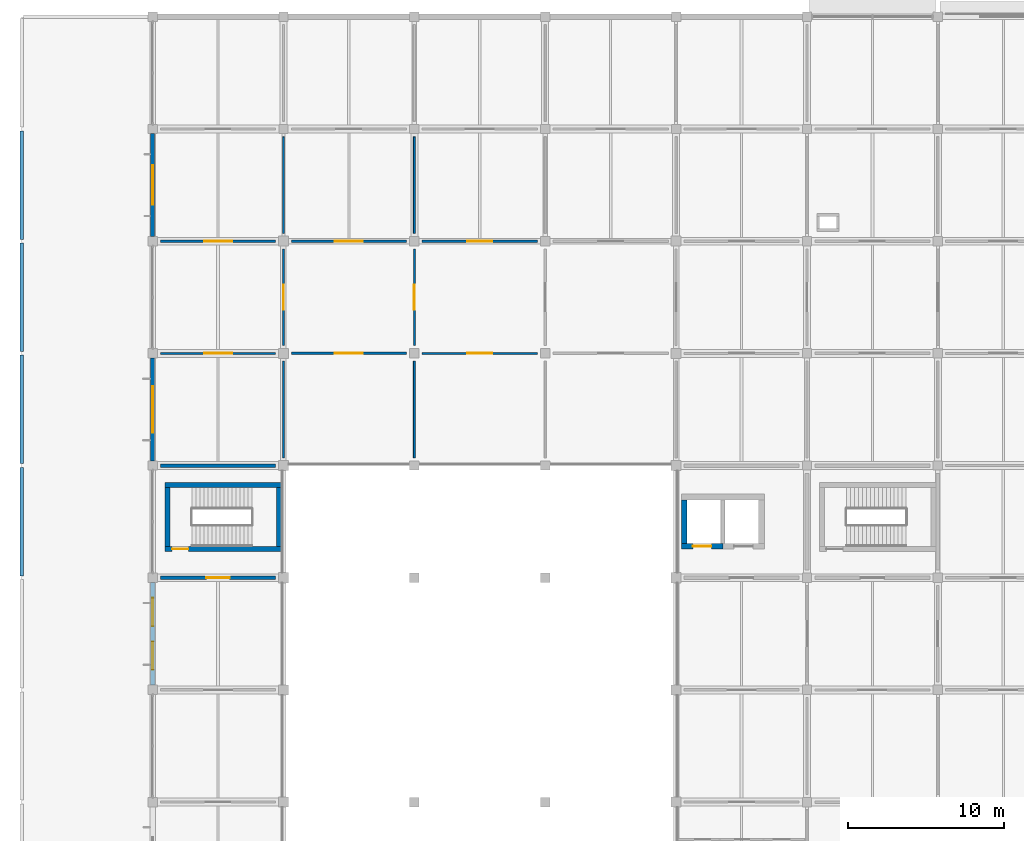
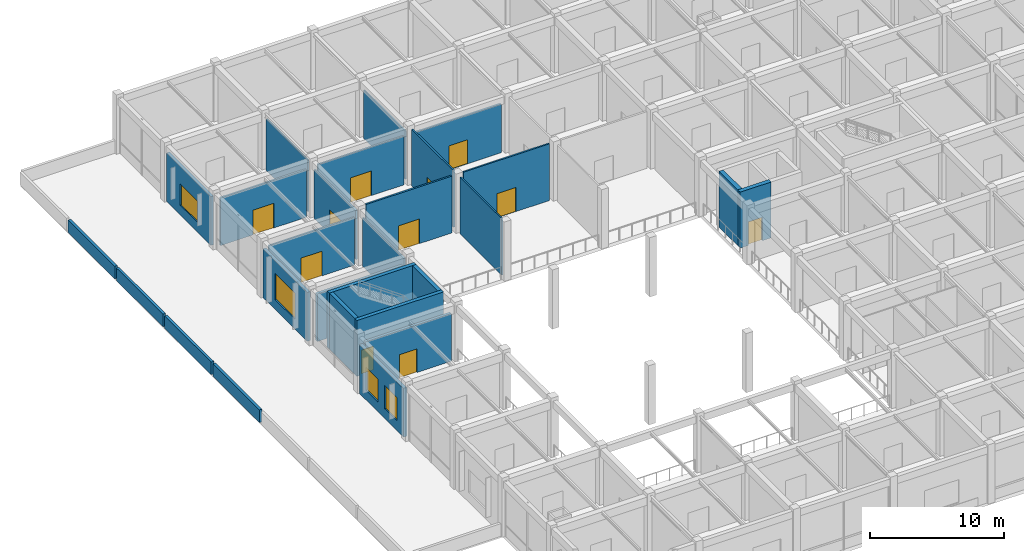
# One storey, part 21 of 38: 27 walls, 11 doors, 4 windows, 15 openings.
"""IFC4 building model written with IfcOpenShell, lengths in metres."""

from ifc_helpers import new_model, si_unit, derived_unit, direction, frame, frame_2d, origin, place, context, subcontext, project, spatial, rectangle, extrude, material, layer, layer_set, type_object, element, fill, save


model = new_model("IFC4")

# Units and contexts
model_context = context("Model", 3, precision=1e-05, world=origin(), true_north=direction((0.0, 1.0)))
body_context = subcontext(model_context, "Body", "Model", "MODEL_VIEW")
ifc_project = project(units=[si_unit("LENGTHUNIT", "METRE"), si_unit("AREAUNIT", "SQUARE_METRE"), si_unit("VOLUMEUNIT", "CUBIC_METRE"), si_unit("PLANEANGLEUNIT", "RADIAN"), si_unit("MASSUNIT", "GRAM", prefix="KILO"), derived_unit("THERMALTRANSMITTANCEUNIT", [(si_unit("MASSUNIT", "GRAM", prefix="KILO"), 1), (si_unit("TIMEUNIT", "SECOND"), -3), (si_unit("THERMODYNAMICTEMPERATUREUNIT", "KELVIN"), -1)])], contexts=[model_context])

# Site, building, storey
site_placement = place(None, origin())
site = spatial("IfcSite", under=ifc_project, at=site_placement, CompositionType="ELEMENT")
building_placement = place(site_placement, origin())
building = spatial("IfcBuilding", under=site, at=building_placement, Name="Veldstrom Oceanarium and Marine Research Institute", CompositionType="ELEMENT")
storey_placement = place(building_placement, frame((0.0, 0.0, 11.39990234375)))
storey = spatial("IfcBuildingStorey", under=building, at=storey_placement, Name="L02", CompositionType="ELEMENT", Elevation=11.39990234375)

# Wall, openings, windows
ifc_material_1 = material(Name="Masonry Cavity Wall", Category="masonry")
ifc_layer_1 = layer(ifc_material_1, 0.2900390625)
ifc_layer_set_1 = layer_set([ifc_layer_1], Name="ARC-WAL-EW2")
wall_type_1 = type_object("IfcWallType", Name="ARC-WAL-EW2", PredefinedType="SOLIDWALL", material=ifc_layer_set_1)
wall_1_placement = place(storey_placement, frame((8.39990234375, 29.10009765625, 0.0), z_axis=(0.0, 0.0, 1.0), x_axis=(0.0, 1.0, 0.0)))
wall_1 = element("IfcWall", 1, at=wall_1_placement, inside=storey, type_object=wall_type_1, Name="Exterior Facade Wall EW2 L02-117", PredefinedType="SOLIDWALL", context=body_context, shape_type="SweptSolid", body=[
    extrude(rectangle(XDim=6.599853515625, YDim=0.2900390625, at=frame_2d((3.2998046875, 0.0))), origin(), (0.0, 0.0, 1.0), 4.445068359375),
])
opening_1_placement = place(wall_1_placement, frame((1.0, 0.0, 0.89990234375)))
opening_1 = element("IfcOpeningElement", 2, at=opening_1_placement, cuts=wall_1, Name="Opening W10", PredefinedType="OPENING", context=body_context, shape_type="SweptSolid", body=[
    extrude(rectangle(XDim=1.800048828125, YDim=2.10009765625, at=frame_2d((0.89990234375, 1.050048828125))), frame((0.0, 0.155029296875, 0.0), z_axis=(0.0, -1.0, 0.0), x_axis=(1.0, 0.0, 0.0)), (0.0, 0.0, 1.0), 0.31005859375),
])
opening_2_placement = place(wall_1_placement, frame((3.800048828125, 0.0, 0.89990234375)))
opening_2 = element("IfcOpeningElement", 3, at=opening_2_placement, cuts=wall_1, Name="Opening W10", PredefinedType="OPENING", context=body_context, shape_type="SweptSolid", body=[
    extrude(rectangle(XDim=1.800048828125, YDim=2.10009765625, at=frame_2d((0.89990234375, 1.050048828125))), frame((0.0, 0.155029296875, 0.0), z_axis=(0.0, -1.0, 0.0), x_axis=(1.0, 0.0, 0.0)), (0.0, 0.0, 1.0), 0.31005859375),
])
ifc_material_2 = material(Name="Double Glazed Low-E IGU", Category="glass")
window_type_1 = type_object("IfcWindowType", Name="ARC-WIN-W10", PartitioningType="SINGLE_PANEL", PredefinedType="WINDOW", material=ifc_material_2)
window_1_placement = place(opening_1_placement, origin())
window_1 = element("IfcWindow", 4, at=window_1_placement, inside=storey, type_object=window_type_1, Name="Facade Window W10 L02-0083", OverallHeight=2.10009765625, OverallWidth=1.800048828125, PartitioningType="SINGLE_PANEL", PredefinedType="WINDOW", context=body_context, shape_type="SweptSolid", body=[
    extrude(rectangle(XDim=1.800048828125, YDim=2.10009765625, at=frame_2d((0.89990234375, 1.050048828125))), frame((0.0, 0.030029296875, 0.0), z_axis=(0.0, -1.0, 0.0), x_axis=(1.0, 0.0, 0.0)), (0.0, 0.0, 1.0), 0.06005859375),
])
fill(opening_1, window_1)
window_2_placement = place(opening_2_placement, origin())
window_2 = element("IfcWindow", 5, at=window_2_placement, inside=storey, type_object=window_type_1, Name="Facade Window W10 L02-0084", OverallHeight=2.10009765625, OverallWidth=1.800048828125, PartitioningType="SINGLE_PANEL", PredefinedType="WINDOW", context=body_context, shape_type="SweptSolid", body=[
    extrude(rectangle(XDim=1.800048828125, YDim=2.10009765625, at=frame_2d((0.89990234375, 1.050048828125))), frame((0.0, 0.030029296875, 0.0), z_axis=(0.0, -1.0, 0.0), x_axis=(1.0, 0.0, 0.0)), (0.0, 0.0, 1.0), 0.06005859375),
])
fill(opening_2, window_2)

# Wall, opening, window
ifc_material_3 = material(Name="Masonry Cavity Wall", Category="masonry")
ifc_layer_2 = layer(ifc_material_3, 0.27001953125)
ifc_layer_set_2 = layer_set([ifc_layer_2], Name="ARC-WAL-EW3")
wall_type_2 = type_object("IfcWallType", Name="ARC-WAL-EW3", PredefinedType="SOLIDWALL", material=ifc_layer_set_2)
wall_2_placement = place(storey_placement, frame((8.39990234375, 43.5, 0.0), z_axis=(0.0, 0.0, 1.0), x_axis=(0.0, 1.0, 0.0)))
wall_2 = element("IfcWall", 6, at=wall_2_placement, inside=storey, type_object=wall_type_2, Name="Exterior Facade Wall EW3 L02-118", PredefinedType="SOLIDWALL", context=body_context, shape_type="SweptSolid", body=[
    extrude(rectangle(XDim=6.60009765625, YDim=0.27001953125, at=frame_2d((3.300048828125, 0.0))), origin(), (0.0, 0.0, 1.0), 4.445068359375),
])
opening_3_placement = place(wall_2_placement, frame((1.800048828125, 0.0, 0.89990234375)))
opening_3 = element("IfcOpeningElement", 7, at=opening_3_placement, cuts=wall_2, Name="Opening W12", PredefinedType="OPENING", context=body_context, shape_type="SweptSolid", body=[
    extrude(rectangle(XDim=3.0, YDim=2.39990234375, at=frame_2d((1.5, 1.199951171875))), frame((0.0, 0.14501953125, 0.0), z_axis=(0.0, -1.0, 0.0), x_axis=(1.0, 0.0, 0.0)), (0.0, 0.0, 1.0), 0.2900390625),
])
ifc_material_4 = material(Name="Double Glazed Low-E IGU", Category="glass")
window_type_2 = type_object("IfcWindowType", Name="ARC-WIN-W12", PartitioningType="SINGLE_PANEL", PredefinedType="WINDOW", material=ifc_material_4)
window_3_placement = place(opening_3_placement, origin())
window_3 = element("IfcWindow", 8, at=window_3_placement, inside=storey, type_object=window_type_2, Name="Facade Window W12 L02-0085", OverallHeight=2.39990234375, OverallWidth=3.0, PartitioningType="SINGLE_PANEL", PredefinedType="WINDOW", context=body_context, shape_type="SweptSolid", body=[
    extrude(rectangle(XDim=3.0, YDim=2.39990234375, at=frame_2d((1.5, 1.199951171875))), frame((0.0, 0.030029296875, 0.0), z_axis=(0.0, -1.0, 0.0), x_axis=(1.0, 0.0, 0.0)), (0.0, 0.0, 1.0), 0.06005859375),
])
fill(opening_3, window_3)

ifc_material_5 = material(Name="Masonry Cavity Wall", Category="masonry")
ifc_layer_3 = layer(ifc_material_5, 0.25)
ifc_layer_set_3 = layer_set([ifc_layer_3], Name="ARC-WAL-EW5")
wall_type_3 = type_object("IfcWallType", Name="ARC-WAL-EW5", PredefinedType="SOLIDWALL", material=ifc_layer_set_3)
wall_3_placement = place(storey_placement, frame((8.39990234375, 57.89990234375, 0.0), z_axis=(0.0, 0.0, 1.0), x_axis=(0.0, 1.0, 0.0)))
wall_3 = element("IfcWall", 9, at=wall_3_placement, inside=storey, type_object=wall_type_3, Name="Exterior Facade Wall EW5 L02-119", PredefinedType="SOLIDWALL", context=body_context, shape_type="SweptSolid", body=[
    extrude(rectangle(XDim=6.60009765625, YDim=0.25, at=frame_2d((3.300048828125, 0.0))), origin(), (0.0, 0.0, 1.0), 4.445068359375),
])
opening_4_placement = place(wall_3_placement, frame((2.02490234375, 0.0, 0.89990234375)))
opening_4 = element("IfcOpeningElement", 10, at=opening_4_placement, cuts=wall_3, Name="Opening W20", PredefinedType="OPENING", context=body_context, shape_type="SweptSolid", body=[
    extrude(rectangle(XDim=2.550048828125, YDim=1.949951171875, at=frame_2d((1.27490234375, 0.97509765625))), frame((0.0, 0.135009765625, 0.0), z_axis=(0.0, -1.0, 0.0), x_axis=(1.0, 0.0, 0.0)), (0.0, 0.0, 1.0), 0.27001953125),
])
ifc_material_6 = material(Name="Double Glazed Low-E IGU", Category="glass")
window_type_3 = type_object("IfcWindowType", Name="ARC-WIN-W20", PartitioningType="SINGLE_PANEL", PredefinedType="WINDOW", material=ifc_material_6)
window_4_placement = place(opening_4_placement, origin())
window_4 = element("IfcWindow", 11, at=window_4_placement, inside=storey, type_object=window_type_3, Name="Facade Window W20 L02-0086", OverallHeight=1.949951171875, OverallWidth=2.550048828125, PartitioningType="SINGLE_PANEL", PredefinedType="WINDOW", context=body_context, shape_type="SweptSolid", body=[
    extrude(rectangle(XDim=2.550048828125, YDim=1.949951171875, at=frame_2d((1.27490234375, 0.97509765625))), frame((0.0, 0.030029296875, 0.0), z_axis=(0.0, -1.0, 0.0), x_axis=(1.0, 0.0, 0.0)), (0.0, 0.0, 1.0), 0.06005859375),
])
fill(opening_4, window_4)

# Walls
ifc_material_7 = material(Name="Masonry Cavity Wall", Category="masonry")
ifc_layer_4 = layer(ifc_material_7, 0.219970703125)
ifc_layer_set_4 = layer_set([ifc_layer_4], Name="ARC-WAL-PR1")
wall_type_4 = type_object("IfcWallType", Name="ARC-WAL-PR1", PredefinedType="PARAPET", material=ifc_layer_set_4)
for number, where, z_axis, x_axis, name in (
    (12, (0.0, 36.1201171875, 0.0), (0.0, 0.0, 1.0), (0.0, 1.0, 0.0), "Roof Parapet Wall L01-026"),
    (13, (0.0, 43.320068359375, 0.0), (0.0, 0.0, 1.0), (0.0, 1.0, 0.0), "Roof Parapet Wall L01-027"),
    (14, (0.0, 50.52001953125, 0.0), (0.0, 0.0, 1.0), (0.0, 1.0, 0.0), "Roof Parapet Wall L01-028"),
    (15, (0.0, 57.719970703125, 0.0), (0.0, 0.0, 1.0), (0.0, 1.0, 0.0), "Roof Parapet Wall L01-029"),
):
    element("IfcWall", number, at=place(storey_placement, frame(where, z_axis=z_axis, x_axis=x_axis)), inside=storey, type_object=wall_type_4, Name=name, PredefinedType="PARAPET", context=body_context, shape_type="SweptSolid", body=[
        extrude(rectangle(XDim=6.9599609375, YDim=0.219970703125, at=frame_2d((3.47998046875, 0.0))), origin(), (0.0, 0.0, 1.0), 1.150146484375),
    ])

# Wall, opening, door
ifc_material_8 = material(Name="Masonry Fire Compartment Wall", Category="masonry")
ifc_layer_5 = layer(ifc_material_8, 0.22998046875)
ifc_layer_set_5 = layer_set([ifc_layer_5], Name="ARC-WAL-PT1")
wall_type_5 = type_object("IfcWallType", Name="ARC-WAL-PT1", PredefinedType="PARTITIONING", material=ifc_layer_set_5)
wall_4_placement = place(storey_placement, frame((8.89990234375, 36.0, 0.0), z_axis=(0.0, 0.0, 1.0), x_axis=(1.0, 0.0, 0.0)))
wall_4 = element("IfcWall", 16, at=wall_4_placement, inside=storey, type_object=wall_type_5, Name="Interior Partition PT1 L02-1068", PredefinedType="PARTITIONING", context=body_context, shape_type="SweptSolid", body=[
    extrude(rectangle(XDim=7.400146484375, YDim=0.22998046875, at=frame_2d((3.7001953125, 0.0))), origin(), (0.0, 0.0, 1.0), 4.34521484375),
])
opening_5_placement = place(wall_4_placement, frame((2.949951171875, 0.0, 0.0)))
opening_5 = element("IfcOpeningElement", 17, at=opening_5_placement, cuts=wall_4, Name="Opening D-L02-623", PredefinedType="OPENING", context=body_context, shape_type="SweptSolid", body=[
    extrude(rectangle(XDim=1.5, YDim=2.14990234375, at=frame_2d((0.75, 1.074951171875))), frame((0.0, 0.125, 0.0), z_axis=(0.0, -1.0, 0.0), x_axis=(1.0, 0.0, 0.0)), (0.0, 0.0, 1.0), 0.25),
])
ifc_material_9 = material(Name="Painted Steel Lobby Fire Door", Category="steel")
door_type_1 = type_object("IfcDoorType", Name="ARC-DOR-SD2", OperationType="DOUBLE_DOOR_SINGLE_SWING", PredefinedType="DOOR", material=ifc_material_9)
door_1_placement = place(opening_5_placement, frame((1.5, 0.0, 0.0), z_axis=(0.0, 0.0, 1.0), x_axis=(-1.0, 0.0, 0.0)))
door_1 = element("IfcDoor", 18, at=door_1_placement, inside=storey, type_object=door_type_1, Name="Interior Door D-L02-623", OperationType="DOUBLE_DOOR_SINGLE_SWING", OverallHeight=2.14990234375, OverallWidth=1.5, PredefinedType="DOOR", context=body_context, shape_type="SweptSolid", body=[
    extrude(rectangle(XDim=1.5, YDim=2.14990234375, at=frame_2d((0.75, 1.074951171875))), frame((0.0, 0.02490234375, 0.0), z_axis=(0.0, -1.0, 0.0), x_axis=(1.0, 0.0, 0.0)), (0.0, 0.0, 1.0), 0.050048828125),
])
fill(opening_5, door_1)

# Wall
wall_5_placement = place(storey_placement, frame((8.89990234375, 43.199951171875, 0.0), z_axis=(0.0, 0.0, 1.0), x_axis=(1.0, 0.0, 0.0)))
element("IfcWall", 19, at=wall_5_placement, inside=storey, type_object=wall_type_5, Name="Interior Partition PT1 L02-1069", PredefinedType="PARTITIONING", context=body_context, shape_type="SweptSolid", body=[
    extrude(rectangle(XDim=7.400146484375, YDim=0.22998046875, at=frame_2d((3.7001953125, 0.0))), origin(), (0.0, 0.0, 1.0), 4.34521484375),
])

# Wall, opening, door
ifc_material_10 = material(Name="Drywall Corridor Partition", Category="gypsum")
ifc_layer_6 = layer(ifc_material_10, 0.155029296875)
ifc_layer_set_6 = layer_set([ifc_layer_6], Name="ARC-WAL-PT4")
wall_type_6 = type_object("IfcWallType", Name="ARC-WAL-PT4", PredefinedType="PARTITIONING", material=ifc_layer_set_6)
wall_6_placement = place(storey_placement, frame((16.800048828125, 50.89990234375, 0.0), z_axis=(0.0, 0.0, 1.0), x_axis=(0.0, 1.0, 0.0)))
wall_6 = element("IfcWall", 20, at=wall_6_placement, inside=storey, type_object=wall_type_6, Name="Interior Partition PT4 L02-1072", PredefinedType="PARTITIONING", context=body_context, shape_type="SweptSolid", body=[
    extrude(rectangle(XDim=6.2001953125, YDim=0.155029296875, at=frame_2d((3.10009765625, 0.0))), origin(), (0.0, 0.0, 1.0), 4.445068359375),
])
opening_6_placement = place(wall_6_placement, frame((2.300048828125, 0.0, 0.0)))
opening_6 = element("IfcOpeningElement", 21, at=opening_6_placement, cuts=wall_6, Name="Opening D-L02-625", PredefinedType="OPENING", context=body_context, shape_type="SweptSolid", body=[
    extrude(rectangle(XDim=1.60009765625, YDim=2.199951171875, at=frame_2d((0.800048828125, 1.10009765625))), frame((0.0, 0.08740234375, 0.0), z_axis=(0.0, -1.0, 0.0), x_axis=(1.0, 0.0, 0.0)), (0.0, 0.0, 1.0), 0.175048828125),
])
ifc_material_11 = material(Name="Acoustic Timber Corridor Door", Category="wood")
door_type_2 = type_object("IfcDoorType", Name="ARC-DOR-ID02", OperationType="DOUBLE_DOOR_SINGLE_SWING", PredefinedType="DOOR", material=ifc_material_11)
door_2_placement = place(opening_6_placement, frame((1.60009765625, 0.0, 0.0), z_axis=(0.0, 0.0, 1.0), x_axis=(-1.0, 0.0, 0.0)))
door_2 = element("IfcDoor", 22, at=door_2_placement, inside=storey, type_object=door_type_2, Name="Interior Door D-L02-625", OperationType="DOUBLE_DOOR_SINGLE_SWING", OverallHeight=2.199951171875, OverallWidth=1.60009765625, PredefinedType="DOOR", context=body_context, shape_type="SweptSolid", body=[
    extrude(rectangle(XDim=1.60009765625, YDim=2.199951171875, at=frame_2d((0.800048828125, 1.10009765625))), frame((0.0, 0.02490234375, 0.0), z_axis=(0.0, -1.0, 0.0), x_axis=(1.0, 0.0, 0.0)), (0.0, 0.0, 1.0), 0.050048828125),
])
fill(opening_6, door_2)

wall_7_placement = place(storey_placement, frame((8.89990234375, 57.60009765625, 0.0), z_axis=(0.0, 0.0, 1.0), x_axis=(1.0, 0.0, 0.0)))
wall_7 = element("IfcWall", 23, at=wall_7_placement, inside=storey, type_object=wall_type_6, Name="Interior Partition PT4 L02-1073", PredefinedType="PARTITIONING", context=body_context, shape_type="SweptSolid", body=[
    extrude(rectangle(XDim=7.400146484375, YDim=0.155029296875, at=frame_2d((3.7001953125, 0.0))), origin(), (0.0, 0.0, 1.0), 4.34521484375),
])
opening_7_placement = place(wall_7_placement, frame((2.800048828125, 0.0, 0.0)))
opening_7 = element("IfcOpeningElement", 24, at=opening_7_placement, cuts=wall_7, Name="Opening D-L02-626", PredefinedType="OPENING", context=body_context, shape_type="SweptSolid", body=[
    extrude(rectangle(XDim=1.800048828125, YDim=2.25, at=frame_2d((0.89990234375, 1.125))), frame((0.0, 0.08740234375, 0.0), z_axis=(0.0, -1.0, 0.0), x_axis=(1.0, 0.0, 0.0)), (0.0, 0.0, 1.0), 0.175048828125),
])
ifc_material_12 = material(Name="Acoustic Timber Gallery Door", Category="wood")
door_type_3 = type_object("IfcDoorType", Name="ARC-DOR-ID01", OperationType="DOUBLE_DOOR_SINGLE_SWING", PredefinedType="DOOR", material=ifc_material_12)
door_3_placement = place(opening_7_placement, origin())
door_3 = element("IfcDoor", 25, at=door_3_placement, inside=storey, type_object=door_type_3, Name="Interior Door D-L02-626", OperationType="DOUBLE_DOOR_SINGLE_SWING", OverallHeight=2.25, OverallWidth=1.800048828125, PredefinedType="DOOR", context=body_context, shape_type="SweptSolid", body=[
    extrude(rectangle(XDim=1.800048828125, YDim=2.25, at=frame_2d((0.89990234375, 1.125))), frame((0.0, 0.02490234375, 0.0), z_axis=(0.0, -1.0, 0.0), x_axis=(1.0, 0.0, 0.0)), (0.0, 0.0, 1.0), 0.050048828125),
])
fill(opening_7, door_3)

wall_8_placement = place(storey_placement, frame((17.300048828125, 50.39990234375, 0.0), z_axis=(0.0, 0.0, 1.0), x_axis=(1.0, 0.0, 0.0)))
wall_8 = element("IfcWall", 26, at=wall_8_placement, inside=storey, type_object=wall_type_6, Name="Interior Partition PT4 L02-1081", PredefinedType="PARTITIONING", context=body_context, shape_type="SweptSolid", body=[
    extrude(rectangle(XDim=7.39990234375, YDim=0.155029296875, at=frame_2d((3.699951171875, 0.0))), origin(), (0.0, 0.0, 1.0), 5.175048828125),
])
opening_8_placement = place(wall_8_placement, frame((2.800048828125, 0.0, 0.0)))
opening_8 = element("IfcOpeningElement", 27, at=opening_8_placement, cuts=wall_8, Name="Opening D-L02-630", PredefinedType="OPENING", context=body_context, shape_type="SweptSolid", body=[
    extrude(rectangle(XDim=1.800048828125, YDim=2.25, at=frame_2d((0.89990234375, 1.125))), frame((0.0, 0.08740234375, 0.0), z_axis=(0.0, -1.0, 0.0), x_axis=(1.0, 0.0, 0.0)), (0.0, 0.0, 1.0), 0.175048828125),
])
door_4_placement = place(opening_8_placement, origin())
door_4 = element("IfcDoor", 28, at=door_4_placement, inside=storey, type_object=door_type_3, Name="Interior Door D-L02-630", OperationType="DOUBLE_DOOR_SINGLE_SWING", OverallHeight=2.25, OverallWidth=1.800048828125, PredefinedType="DOOR", context=body_context, shape_type="SweptSolid", body=[
    extrude(rectangle(XDim=1.800048828125, YDim=2.25, at=frame_2d((0.89990234375, 1.125))), frame((0.0, 0.02490234375, 0.0), z_axis=(0.0, -1.0, 0.0), x_axis=(1.0, 0.0, 0.0)), (0.0, 0.0, 1.0), 0.050048828125),
])
fill(opening_8, door_4)

wall_9_placement = place(storey_placement, frame((25.699951171875, 57.60009765625, 0.0), z_axis=(0.0, 0.0, 1.0), x_axis=(1.0, 0.0, 0.0)))
wall_9 = element("IfcWall", 29, at=wall_9_placement, inside=storey, type_object=wall_type_6, Name="Interior Partition PT4 L02-1093", PredefinedType="PARTITIONING", context=body_context, shape_type="SweptSolid", body=[
    extrude(rectangle(XDim=7.400146484375, YDim=0.155029296875, at=frame_2d((3.7001953125, 0.0))), origin(), (0.0, 0.0, 1.0), 4.445068359375),
])
opening_9_placement = place(wall_9_placement, frame((2.89990234375, 0.0, 0.0)))
opening_9 = element("IfcOpeningElement", 30, at=opening_9_placement, cuts=wall_9, Name="Opening D-L02-637", PredefinedType="OPENING", context=body_context, shape_type="SweptSolid", body=[
    extrude(rectangle(XDim=1.60009765625, YDim=2.199951171875, at=frame_2d((0.800048828125, 1.10009765625))), frame((0.0, 0.08740234375, 0.0), z_axis=(0.0, -1.0, 0.0), x_axis=(1.0, 0.0, 0.0)), (0.0, 0.0, 1.0), 0.175048828125),
])
door_5_placement = place(opening_9_placement, origin())
door_5 = element("IfcDoor", 31, at=door_5_placement, inside=storey, type_object=door_type_2, Name="Interior Door D-L02-637", OperationType="DOUBLE_DOOR_SINGLE_SWING", OverallHeight=2.199951171875, OverallWidth=1.60009765625, PredefinedType="DOOR", context=body_context, shape_type="SweptSolid", body=[
    extrude(rectangle(XDim=1.60009765625, YDim=2.199951171875, at=frame_2d((0.800048828125, 1.10009765625))), frame((0.0, 0.02490234375, 0.0), z_axis=(0.0, -1.0, 0.0), x_axis=(1.0, 0.0, 0.0)), (0.0, 0.0, 1.0), 0.050048828125),
])
fill(opening_9, door_5)

ifc_material_13 = material(Name="Moisture-Resistant Wet-Area Partition", Category="masonry")
ifc_layer_7 = layer(ifc_material_13, 0.139892578125)
ifc_layer_set_7 = layer_set([ifc_layer_7], Name="ARC-WAL-PT5")
wall_type_7 = type_object("IfcWallType", Name="ARC-WAL-PT5", PredefinedType="PARTITIONING", material=ifc_layer_set_7)
wall_10_placement = place(storey_placement, frame((8.89990234375, 50.39990234375, 0.0), z_axis=(0.0, 0.0, 1.0), x_axis=(1.0, 0.0, 0.0)))
wall_10 = element("IfcWall", 32, at=wall_10_placement, inside=storey, type_object=wall_type_7, Name="Interior Partition PT5 L02-1071", PredefinedType="PARTITIONING", context=body_context, shape_type="SweptSolid", body=[
    extrude(rectangle(XDim=7.400146484375, YDim=0.139892578125, at=frame_2d((3.7001953125, 0.0))), origin(), (0.0, 0.0, 1.0), 4.34521484375),
])
opening_10_placement = place(wall_10_placement, frame((2.800048828125, 0.0, 0.0)))
opening_10 = element("IfcOpeningElement", 33, at=opening_10_placement, cuts=wall_10, Name="Opening D-L02-624", PredefinedType="OPENING", context=body_context, shape_type="SweptSolid", body=[
    extrude(rectangle(XDim=1.800048828125, YDim=2.25, at=frame_2d((0.89990234375, 1.125))), frame((0.0, 0.079833984375, 0.0), z_axis=(0.0, -1.0, 0.0), x_axis=(1.0, 0.0, 0.0)), (0.0, 0.0, 1.0), 0.159912109375),
])
door_6_placement = place(opening_10_placement, frame((1.800048828125, 0.0, 0.0), z_axis=(0.0, 0.0, 1.0), x_axis=(-1.0, 0.0, 0.0)))
door_6 = element("IfcDoor", 34, at=door_6_placement, inside=storey, type_object=door_type_3, Name="Interior Door D-L02-624", OperationType="DOUBLE_DOOR_SINGLE_SWING", OverallHeight=2.25, OverallWidth=1.800048828125, PredefinedType="DOOR", context=body_context, shape_type="SweptSolid", body=[
    extrude(rectangle(XDim=1.800048828125, YDim=2.25, at=frame_2d((0.89990234375, 1.125))), frame((0.0, 0.02490234375, 0.0), z_axis=(0.0, -1.0, 0.0), x_axis=(1.0, 0.0, 0.0)), (0.0, 0.0, 1.0), 0.050048828125),
])
fill(opening_10, door_6)

wall_11_placement = place(storey_placement, frame((25.199951171875, 50.89990234375, 0.0), z_axis=(0.0, 0.0, 1.0), x_axis=(0.0, 1.0, 0.0)))
wall_11 = element("IfcWall", 35, at=wall_11_placement, inside=storey, type_object=wall_type_7, Name="Interior Partition PT5 L02-1082", PredefinedType="PARTITIONING", context=body_context, shape_type="SweptSolid", body=[
    extrude(rectangle(XDim=6.2001953125, YDim=0.139892578125, at=frame_2d((3.10009765625, 0.0))), origin(), (0.0, 0.0, 1.0), 5.175048828125),
])
opening_11_placement = place(wall_11_placement, frame((2.300048828125, 0.0, 0.0)))
opening_11 = element("IfcOpeningElement", 36, at=opening_11_placement, cuts=wall_11, Name="Opening D-L02-631", PredefinedType="OPENING", context=body_context, shape_type="SweptSolid", body=[
    extrude(rectangle(XDim=1.60009765625, YDim=2.199951171875, at=frame_2d((0.800048828125, 1.10009765625))), frame((0.0, 0.079833984375, 0.0), z_axis=(0.0, -1.0, 0.0), x_axis=(1.0, 0.0, 0.0)), (0.0, 0.0, 1.0), 0.159912109375),
])
door_7_placement = place(opening_11_placement, origin())
door_7 = element("IfcDoor", 37, at=door_7_placement, inside=storey, type_object=door_type_2, Name="Interior Door D-L02-631", OperationType="DOUBLE_DOOR_SINGLE_SWING", OverallHeight=2.199951171875, OverallWidth=1.60009765625, PredefinedType="DOOR", context=body_context, shape_type="SweptSolid", body=[
    extrude(rectangle(XDim=1.60009765625, YDim=2.199951171875, at=frame_2d((0.800048828125, 1.10009765625))), frame((0.0, 0.02490234375, 0.0), z_axis=(0.0, -1.0, 0.0), x_axis=(1.0, 0.0, 0.0)), (0.0, 0.0, 1.0), 0.050048828125),
])
fill(opening_11, door_7)

wall_12_placement = place(storey_placement, frame((17.300048828125, 57.60009765625, 0.0), z_axis=(0.0, 0.0, 1.0), x_axis=(1.0, 0.0, 0.0)))
wall_12 = element("IfcWall", 38, at=wall_12_placement, inside=storey, type_object=wall_type_7, Name="Interior Partition PT5 L02-1083", PredefinedType="PARTITIONING", context=body_context, shape_type="SweptSolid", body=[
    extrude(rectangle(XDim=7.39990234375, YDim=0.139892578125, at=frame_2d((3.699951171875, 0.0))), origin(), (0.0, 0.0, 1.0), 4.445068359375),
])
opening_12_placement = place(wall_12_placement, frame((2.800048828125, 0.0, 0.0)))
opening_12 = element("IfcOpeningElement", 39, at=opening_12_placement, cuts=wall_12, Name="Opening D-L02-632", PredefinedType="OPENING", context=body_context, shape_type="SweptSolid", body=[
    extrude(rectangle(XDim=1.800048828125, YDim=2.25, at=frame_2d((0.89990234375, 1.125))), frame((0.0, 0.079833984375, 0.0), z_axis=(0.0, -1.0, 0.0), x_axis=(1.0, 0.0, 0.0)), (0.0, 0.0, 1.0), 0.159912109375),
])
door_8_placement = place(opening_12_placement, frame((1.800048828125, 0.0, 0.0), z_axis=(0.0, 0.0, 1.0), x_axis=(-1.0, 0.0, 0.0)))
door_8 = element("IfcDoor", 40, at=door_8_placement, inside=storey, type_object=door_type_3, Name="Interior Door D-L02-632", OperationType="DOUBLE_DOOR_SINGLE_SWING", OverallHeight=2.25, OverallWidth=1.800048828125, PredefinedType="DOOR", context=body_context, shape_type="SweptSolid", body=[
    extrude(rectangle(XDim=1.800048828125, YDim=2.25, at=frame_2d((0.89990234375, 1.125))), frame((0.0, 0.02490234375, 0.0), z_axis=(0.0, -1.0, 0.0), x_axis=(1.0, 0.0, 0.0)), (0.0, 0.0, 1.0), 0.050048828125),
])
fill(opening_12, door_8)

wall_13_placement = place(storey_placement, frame((25.699951171875, 50.39990234375, 0.0), z_axis=(0.0, 0.0, 1.0), x_axis=(1.0, 0.0, 0.0)))
wall_13 = element("IfcWall", 41, at=wall_13_placement, inside=storey, type_object=wall_type_7, Name="Interior Partition PT5 L02-1091", PredefinedType="PARTITIONING", context=body_context, shape_type="SweptSolid", body=[
    extrude(rectangle(XDim=7.400146484375, YDim=0.139892578125, at=frame_2d((3.7001953125, 0.0))), origin(), (0.0, 0.0, 1.0), 5.175048828125),
])
opening_13_placement = place(wall_13_placement, frame((2.89990234375, 0.0, 0.0)))
opening_13 = element("IfcOpeningElement", 42, at=opening_13_placement, cuts=wall_13, Name="Opening D-L02-635", PredefinedType="OPENING", context=body_context, shape_type="SweptSolid", body=[
    extrude(rectangle(XDim=1.60009765625, YDim=2.199951171875, at=frame_2d((0.800048828125, 1.10009765625))), frame((0.0, 0.079833984375, 0.0), z_axis=(0.0, -1.0, 0.0), x_axis=(1.0, 0.0, 0.0)), (0.0, 0.0, 1.0), 0.159912109375),
])
door_9_placement = place(opening_13_placement, frame((1.60009765625, 0.0, 0.0), z_axis=(0.0, 0.0, 1.0), x_axis=(-1.0, 0.0, 0.0)))
door_9 = element("IfcDoor", 43, at=door_9_placement, inside=storey, type_object=door_type_2, Name="Interior Door D-L02-635", OperationType="DOUBLE_DOOR_SINGLE_SWING", OverallHeight=2.199951171875, OverallWidth=1.60009765625, PredefinedType="DOOR", context=body_context, shape_type="SweptSolid", body=[
    extrude(rectangle(XDim=1.60009765625, YDim=2.199951171875, at=frame_2d((0.800048828125, 1.10009765625))), frame((0.0, 0.02490234375, 0.0), z_axis=(0.0, -1.0, 0.0), x_axis=(1.0, 0.0, 0.0)), (0.0, 0.0, 1.0), 0.050048828125),
])
fill(opening_13, door_9)

# Walls
ifc_material_14 = material(Name="Lightweight Studio Partition", Category="gypsum")
ifc_layer_8 = layer(ifc_material_14, 0.1201171875)
ifc_layer_set_8 = layer_set([ifc_layer_8], Name="ARC-WAL-PT6")
wall_type_8 = type_object("IfcWallType", Name="ARC-WAL-PT6", PredefinedType="PARTITIONING", material=ifc_layer_set_8)
wall_14_placement = place(storey_placement, frame((16.800048828125, 43.699951171875, 0.0), z_axis=(0.0, 0.0, 1.0), x_axis=(0.0, 1.0, 0.0)))
element("IfcWall", 44, at=wall_14_placement, inside=storey, type_object=wall_type_8, Name="Interior Partition PT6 L02-1070", PredefinedType="PARTITIONING", context=body_context, shape_type="SweptSolid", body=[
    extrude(rectangle(XDim=6.199951171875, YDim=0.1201171875, at=frame_2d((3.10009765625, 0.0))), origin(), (0.0, 0.0, 1.0), 4.445068359375),
])
wall_15_placement = place(storey_placement, frame((16.800048828125, 58.10009765625, 0.0), z_axis=(0.0, 0.0, 1.0), x_axis=(0.0, 1.0, 0.0)))
element("IfcWall", 45, at=wall_15_placement, inside=storey, type_object=wall_type_8, Name="Interior Partition PT6 L02-1074", PredefinedType="PARTITIONING", context=body_context, shape_type="SweptSolid", body=[
    extrude(rectangle(XDim=6.199951171875, YDim=0.1201171875, at=frame_2d((3.10009765625, 0.0))), origin(), (0.0, 0.0, 1.0), 4.695068359375),
])
wall_16_placement = place(storey_placement, frame((25.199951171875, 43.699951171875, 0.0), z_axis=(0.0, 0.0, 1.0), x_axis=(0.0, 1.0, 0.0)))
element("IfcWall", 46, at=wall_16_placement, inside=storey, type_object=wall_type_8, Name="Interior Partition PT6 L02-1080", PredefinedType="PARTITIONING", context=body_context, shape_type="SweptSolid", body=[
    extrude(rectangle(XDim=6.199951171875, YDim=0.1201171875, at=frame_2d((3.10009765625, 0.0))), origin(), (0.0, 0.0, 1.0), 5.175048828125),
])
wall_17_placement = place(storey_placement, frame((25.199951171875, 58.10009765625, 0.0), z_axis=(0.0, 0.0, 1.0), x_axis=(0.0, 1.0, 0.0)))
element("IfcWall", 47, at=wall_17_placement, inside=storey, type_object=wall_type_8, Name="Interior Partition PT6 L02-1084", PredefinedType="PARTITIONING", context=body_context, shape_type="SweptSolid", body=[
    extrude(rectangle(XDim=6.199951171875, YDim=0.1201171875, at=frame_2d((3.10009765625, 0.0))), origin(), (0.0, 0.0, 1.0), 4.39501953125),
])

# Wall, opening, door
ifc_material_15 = material(Name="Concrete C40/50", Category="concrete")
ifc_layer_9 = layer(ifc_material_15, 0.360107421875)
ifc_layer_set_9 = layer_set([ifc_layer_9], Name="STR-WAL-WC2")
wall_type_9 = type_object("IfcWallType", Name="STR-WAL-WC2", PredefinedType="SHEAR", material=ifc_layer_set_9)
wall_18_placement = place(storey_placement, frame((42.340087890625, 38.02001953125, 0.0), z_axis=(0.0, 0.0, 1.0), x_axis=(1.0, 0.0, 0.0)))
wall_18 = element("IfcWall", 48, at=wall_18_placement, inside=storey, type_object=wall_type_9, Name="Lift Shaft Front Shear Wall LP4 L02", PredefinedType="SHEAR", context=body_context, shape_type="SweptSolid", body=[
    extrude(rectangle(XDim=2.659912109375, YDim=0.360107421875, at=frame_2d((1.330078125, 0.0))), origin(), (0.0, 0.0, 1.0), 5.10009765625),
])
opening_14_placement = place(wall_18_placement, frame((0.72998046875, 0.0, 0.0)))
opening_14 = element("IfcOpeningElement", 49, at=opening_14_placement, cuts=wall_18, Name="Opening LD-LP4-L02", PredefinedType="OPENING", context=body_context, shape_type="SweptSolid", body=[
    extrude(rectangle(XDim=1.199951171875, YDim=2.14990234375, at=frame_2d((0.60009765625, 1.074951171875))), frame((0.0, 0.18994140625, 0.0), z_axis=(0.0, -1.0, 0.0), x_axis=(1.0, 0.0, 0.0)), (0.0, 0.0, 1.0), 0.380126953125),
])
ifc_material_16 = material(Name="Stainless Steel Lift Landing Door", Category="steel")
door_type_4 = type_object("IfcDoorType", Name="ARC-DOR-LD2", OperationType="DOUBLE_DOOR_SLIDING", PredefinedType="DOOR", material=ifc_material_16)
door_10_placement = place(opening_14_placement, origin())
door_10 = element("IfcDoor", 50, at=door_10_placement, inside=storey, type_object=door_type_4, Name="Lift Landing Door LD-LP4-L02", OperationType="DOUBLE_DOOR_SLIDING", OverallHeight=2.14990234375, OverallWidth=1.199951171875, PredefinedType="DOOR", context=body_context, shape_type="SweptSolid", body=[
    extrude(rectangle(XDim=1.199951171875, YDim=2.14990234375, at=frame_2d((0.60009765625, 1.074951171875))), frame((0.0, 0.02490234375, 0.0), z_axis=(0.0, -1.0, 0.0), x_axis=(1.0, 0.0, 0.0)), (0.0, 0.0, 1.0), 0.050048828125),
])
fill(opening_14, door_10)

# Wall
wall_19_placement = place(storey_placement, frame((42.52001953125, 38.199951171875, 0.0), z_axis=(0.0, 0.0, 1.0), x_axis=(0.0, 1.0, 0.0)))
element("IfcWall", 51, at=wall_19_placement, inside=storey, type_object=wall_type_9, Name="Lift Shaft Shear Wall W L02 5/5", PredefinedType="SHEAR", context=body_context, shape_type="SweptSolid", body=[
    extrude(rectangle(XDim=2.800048828125, YDim=0.360107421875, at=frame_2d((1.39990234375, 0.0))), origin(), (0.0, 0.0, 1.0), 5.10009765625),
])

# Wall, opening, door
ifc_material_17 = material(Name="Concrete C40/50", Category="concrete")
ifc_layer_10 = layer(ifc_material_17, 0.320068359375)
ifc_layer_set_10 = layer_set([ifc_layer_10], Name="STR-WAL-WC3")
wall_type_10 = type_object("IfcWallType", Name="STR-WAL-WC3", PredefinedType="SHEAR", material=ifc_layer_set_10)
wall_20_placement = place(storey_placement, frame((9.199951171875, 37.840087890625, 0.0), z_axis=(0.0, 0.0, 1.0), x_axis=(1.0, 0.0, 0.0)))
wall_20 = element("IfcWall", 52, at=wall_20_placement, inside=storey, type_object=wall_type_10, Name="Stair Core Shear Wall SC3-L02-S", PredefinedType="SHEAR", context=body_context, shape_type="SweptSolid", body=[
    extrude(rectangle(XDim=7.47998046875, YDim=0.320068359375, at=frame_2d((3.739990234375, 0.0))), origin(), (0.0, 0.0, 1.0), 5.10009765625),
])
opening_15_placement = place(wall_20_placement, frame((0.449951171875, 0.0, 0.0)))
opening_15 = element("IfcOpeningElement", 53, at=opening_15_placement, cuts=wall_20, Name="Opening D-ST3-L02", PredefinedType="OPENING", context=body_context, shape_type="SweptSolid", body=[
    extrude(rectangle(XDim=1.050048828125, YDim=2.14990234375, at=frame_2d((0.52490234375, 1.074951171875))), frame((0.0, 0.169921875, 0.0), z_axis=(0.0, -1.0, 0.0), x_axis=(1.0, 0.0, 0.0)), (0.0, 0.0, 1.0), 0.340087890625),
])
ifc_material_18 = material(Name="Painted Steel Fire Door", Category="steel")
door_type_5 = type_object("IfcDoorType", Name="ARC-DOR-SD1", OperationType="SINGLE_SWING_LEFT", PredefinedType="DOOR", material=ifc_material_18)
door_11_placement = place(opening_15_placement, origin())
door_11 = element("IfcDoor", 54, at=door_11_placement, inside=storey, type_object=door_type_5, Name="Escape Stair Fire Door D-ST3-L02", OperationType="SINGLE_SWING_LEFT", OverallHeight=2.14990234375, OverallWidth=1.050048828125, PredefinedType="DOOR", context=body_context, shape_type="SweptSolid", body=[
    extrude(rectangle(XDim=1.050048828125, YDim=2.14990234375, at=frame_2d((0.52490234375, 1.074951171875))), frame((0.0, 0.02490234375, 0.0), z_axis=(0.0, -1.0, 0.0), x_axis=(1.0, 0.0, 0.0)), (0.0, 0.0, 1.0), 0.050048828125),
])
fill(opening_15, door_11)

# Walls
wall_21_placement = place(storey_placement, frame((9.199951171875, 41.9599609375, 0.0), z_axis=(0.0, 0.0, 1.0), x_axis=(1.0, 0.0, 0.0)))
element("IfcWall", 55, at=wall_21_placement, inside=storey, type_object=wall_type_10, Name="Stair Core Shear Wall SC3-L02-N", PredefinedType="SHEAR", context=body_context, shape_type="SweptSolid", body=[
    extrude(rectangle(XDim=7.47998046875, YDim=0.320068359375, at=frame_2d((3.739990234375, 0.0))), origin(), (0.0, 0.0, 1.0), 5.10009765625),
])
for number, where, z_axis, x_axis, name in (
    (56, (9.360107421875, 38.0, 0.0), (0.0, 0.0, 1.0), (0.0, 1.0, 0.0), "Stair Core Shear Wall SC3-L02-W"),
    (57, (16.52001953125, 38.0, 0.0), (0.0, 0.0, 1.0), (0.0, 1.0, 0.0), "Stair Core Shear Wall SC3-L02-E"),
):
    element("IfcWall", number, at=place(storey_placement, frame(where, z_axis=z_axis, x_axis=x_axis)), inside=storey, type_object=wall_type_10, Name=name, PredefinedType="SHEAR", context=body_context, shape_type="SweptSolid", body=[
        extrude(rectangle(XDim=3.800048828125, YDim=0.320068359375, at=frame_2d((1.89990234375, 0.0))), origin(), (0.0, 0.0, 1.0), 5.10009765625),
    ])

save(model, "model.ifc")
